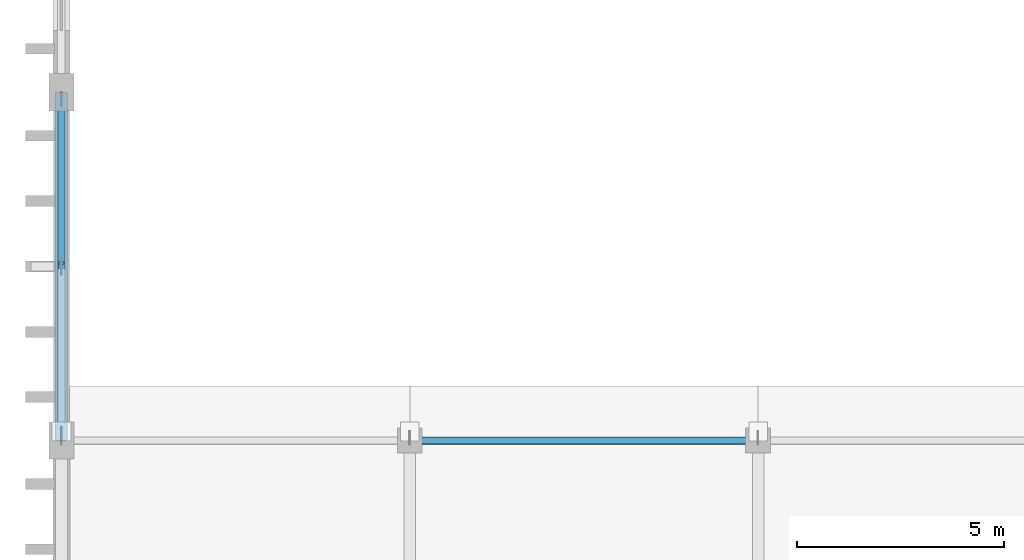
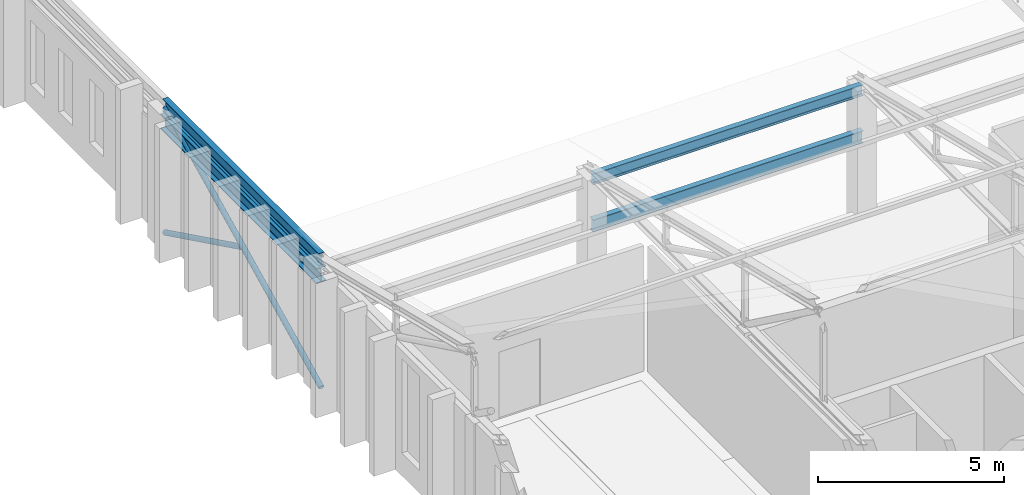
# One storey, part 24 of 192: 4 beams, 2 members.
"""IFC4 building model written with IfcOpenShell, lengths in metres."""

from ifc_helpers import new_model, si_unit, direction, frame, origin, origin_2d, place, context, subcontext, project, spatial, hollow_circle, i_section, extrude, material, material_profile, profile_set, type_object, element, save


model = new_model("IFC4")

# Units and contexts
model_context = context("Model", 3, precision=1e-05, world=origin(), true_north=direction((0.0, 1.0)))
body_context = subcontext(model_context, "Body", "Model", "MODEL_VIEW")
ifc_project = project(units=[si_unit("LENGTHUNIT", "METRE"), si_unit("AREAUNIT", "SQUARE_METRE"), si_unit("VOLUMEUNIT", "CUBIC_METRE"), si_unit("PLANEANGLEUNIT", "RADIAN"), si_unit("MASSUNIT", "GRAM", prefix="KILO")], contexts=[model_context])

# Site, building, storey
site_placement = place(None, origin())
site = spatial("IfcSite", under=ifc_project, at=site_placement, CompositionType="ELEMENT")
building_placement = place(site_placement, origin())
building = spatial("IfcBuilding", under=site, at=building_placement, Name="Kveldsbrygga Polytechnic", CompositionType="ELEMENT")
storey_placement = place(building_placement, frame((0.0, 0.0, 5.43994140625)))
storey = spatial("IfcBuildingStorey", under=building, at=storey_placement, Name="L01", CompositionType="ELEMENT", Elevation=5.43994140625)

# Beams
ifc_material = material(Name="Steel S355", Category="steel")
ifc_material_profile_1 = material_profile(ifc_material, i_section(OverallWidth=0.300048828125, OverallDepth=0.5, WebThickness=0.014404296875, FlangeThickness=0.028076171875, FilletRadius=0.027099609375, at=origin_2d()), Name="HEB 500")
ifc_profile_set_1 = profile_set([ifc_material_profile_1], Name="Steel S355")
beam_type_1 = type_object("IfcBeamType", Name="BM-CRANE-HEB500", PredefinedType="BEAM", material=ifc_profile_set_1)
beam_1_placement = place(storey_placement, frame((0.0, 25.199951171875, 3.7099609375), z_axis=(0.0, 1.0, 0.0), x_axis=(-1.0, 0.0, 0.0)))
element("IfcBeam", 1, at=beam_1_placement, inside=storey, type_object=beam_type_1, Name="Crane Runway Girder CRG-W-03", PredefinedType="BEAM", context=body_context, shape_type="SweptSolid", body=[
    extrude(i_section(OverallWidth=0.300048828125, OverallDepth=0.5, WebThickness=0.014404296875, FlangeThickness=0.028076171875, FilletRadius=0.027099609375, at=origin_2d()), origin(), (0.0, 0.0, 1.0), 8.400146484375),
])
ifc_material_profile_2 = material_profile(ifc_material, i_section(OverallWidth=0.169921875, OverallDepth=0.360107421875, WebThickness=0.008056640625, FlangeThickness=0.0126953125, FilletRadius=0.01806640625, at=origin_2d()), Name="IPE 360")
ifc_profile_set_2 = profile_set([ifc_material_profile_2], Name="Steel S355")
beam_type_2 = type_object("IfcBeamType", Name="BM-STL-IPE360", PredefinedType="BEAM", material=ifc_profile_set_2)
beam_2_placement = place(storey_placement, frame((8.39990234375, 25.199951171875, 3.93994140625), z_axis=(1.0, 0.0, 0.0), x_axis=(0.0, 1.0, 0.0)))
element("IfcBeam", 2, at=beam_2_placement, inside=storey, type_object=beam_type_2, Name="Pavilion Eaves Beam BMX-V5S-EAV-01", PredefinedType="BEAM", context=body_context, shape_type="SweptSolid", body=[
    extrude(i_section(OverallWidth=0.169921875, OverallDepth=0.360107421875, WebThickness=0.008056640625, FlangeThickness=0.0126953125, FilletRadius=0.01806640625, at=origin_2d()), origin(), (0.0, 0.0, 1.0), 8.400146484375),
])
ifc_material_profile_3 = material_profile(ifc_material, i_section(OverallWidth=0.179931640625, OverallDepth=0.39990234375, WebThickness=0.008544921875, FlangeThickness=0.013427734375, FilletRadius=0.02099609375, at=origin_2d()), Name="IPE 400")
ifc_profile_set_3 = profile_set([ifc_material_profile_3], Name="Steel S355")
beam_type_3 = type_object("IfcBeamType", Name="BM-STL-IPE400", PredefinedType="BEAM", material=ifc_profile_set_3)
for number, where, z_axis, x_axis, name in (
    (3, (0.0, 25.199951171875, 4.219970703125), (0.0, 1.0, 0.0), (-1.0, 0.0, 0.0), "Workshop Perimeter Girt Beam BMY-V1GRT-L01-W-03"),
    (4, (8.39990234375, 25.199951171875, 2.41015625), (1.0, 0.0, 0.0), (0.0, 1.0, 0.0), "Workshop Girt Beam BMX-V1GRT-L01-S-01"),
):
    element("IfcBeam", number, at=place(storey_placement, frame(where, z_axis=z_axis, x_axis=x_axis)), inside=storey, type_object=beam_type_3, Name=name, PredefinedType="BEAM", context=body_context, shape_type="SweptSolid", body=[
        extrude(i_section(OverallWidth=0.179931640625, OverallDepth=0.39990234375, WebThickness=0.008544921875, FlangeThickness=0.013427734375, FilletRadius=0.02099609375, at=origin_2d()), origin(), (0.0, 0.0, 1.0), 8.400146484375),
    ])

# Members
ifc_material_profile_4 = material_profile(ifc_material, hollow_circle(Radius=0.084228515625, WallThickness=0.010009765625, at=origin_2d()), Name="CHS 168.3x10.0")
ifc_profile_set_4 = profile_set([ifc_material_profile_4], Name="Steel S355")
member_type = type_object("IfcMemberType", Name="BR-WIND-CHS168", PredefinedType="BRACE", material=ifc_profile_set_4)
member_1_placement = place(storey_placement, frame((0.0, 25.199951171875, 0.0), z_axis=(0.0, 0.897819388189, 0.4403638793), x_axis=(-1.0, 0.0, 0.0)))
element("IfcMember", 5, at=member_1_placement, inside=storey, type_object=member_type, Name="Workshop Portal Continuous Brace VBR-L01-W-3-A", PredefinedType="BRACE", context=body_context, shape_type="SweptSolid", body=[
    extrude(hollow_circle(Radius=0.084228515625, WallThickness=0.010009765625, at=origin_2d()), origin(), (0.0, 0.0, 1.0), 9.356201171875),
])
member_2_placement = place(storey_placement, frame((0.0, 33.60009765625, 0.0), z_axis=(0.0, -0.897817196799, 0.440368347105), x_axis=(1.0, 0.0, 0.0)))
element("IfcMember", 6, at=member_2_placement, inside=storey, type_object=member_type, Name="Workshop Portal Split Brace VBR-L01-W-3-B1", PredefinedType="BRACE", context=body_context, shape_type="SweptSolid", body=[
    extrude(hollow_circle(Radius=0.084228515625, WallThickness=0.010009765625, at=origin_2d()), origin(), (0.0, 0.0, 1.0), 4.588134765625),
])

save(model, "model.ifc")
